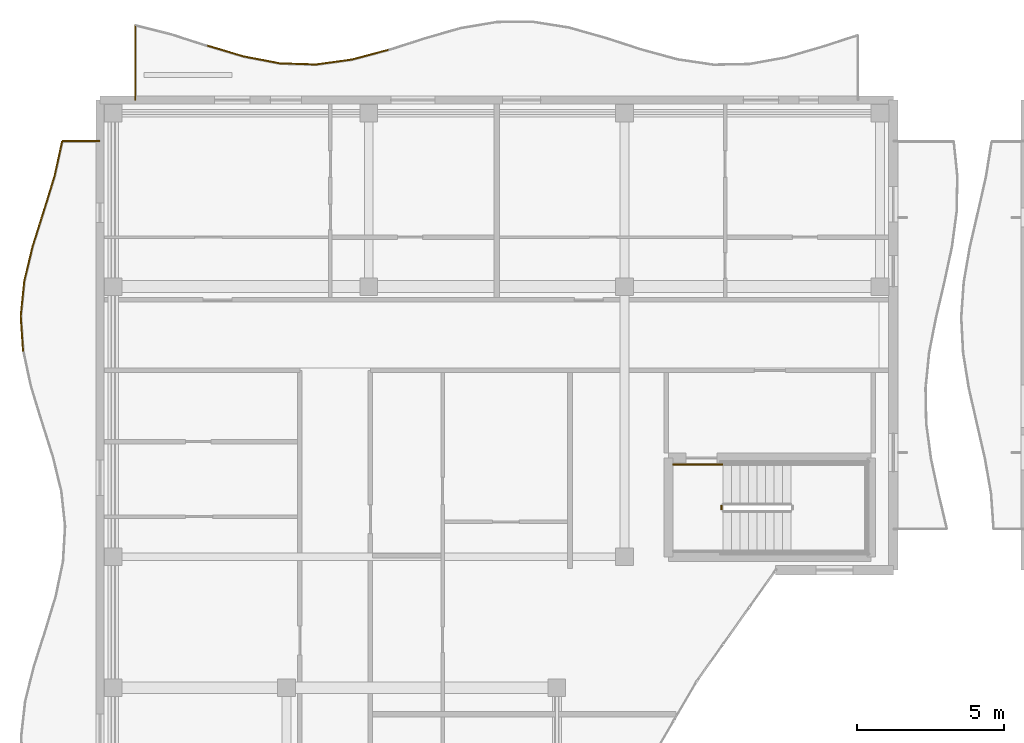
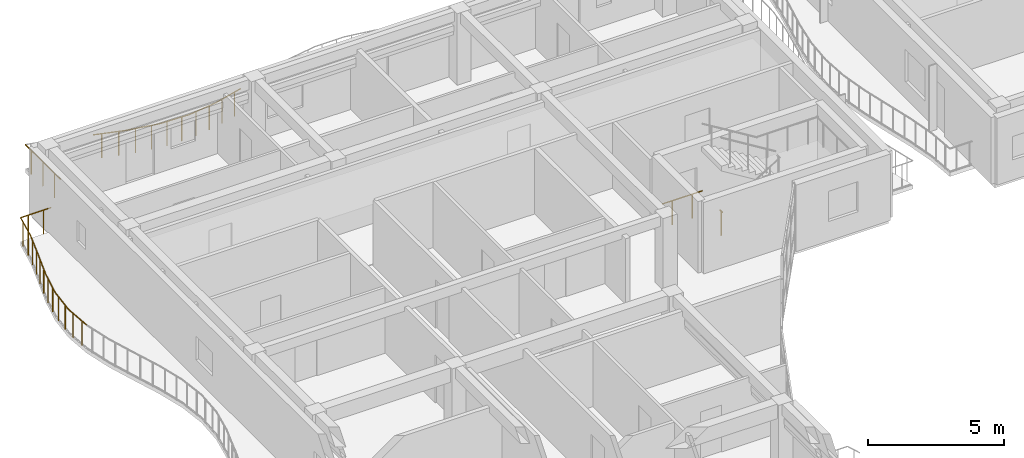
# One storey, part 56 of 76: 15 railings.
"""IFC4 building model written with IfcOpenShell, lengths in metres."""

import ifcopenshell
import ifcopenshell.guid

model = None  # the IFC model being written
_history = None  # IfcOwnerHistory: only IFC2X3 demands one
_inside = {}  # id of a spatial element -> (the spatial element, [elements in it])
_under = {}  # id of a project, library or spatial element -> (it, [spatial elements below it])
_declared = {}  # id of a project -> (the project, [libraries it declares])
_typed = {}  # id of a type object -> (the type object, [elements of that type])
_made_of = {}  # id of a material, layer set ... -> (it, [elements and type objects made of it])


def new_model(schema):
    """Start an empty IFC model of exactly this schema.

    Asked for "IFC4X3", IfcOpenShell would pick the latest addendum, in which some entities
    have other attributes; the version numbers below select the first issue.
    IFC2X3 requires an IfcOwnerHistory on every rooted entity: one is made here for all.
    """
    global model, _history
    if schema == "IFC4X3":
        model = ifcopenshell.file(schema_version=(4, 3, 0, 0))
    else:
        model = ifcopenshell.file(schema=schema)
    _inside.clear()
    _under.clear()
    _declared.clear()
    _typed.clear()
    _made_of.clear()
    _history = None
    if model.schema == "IFC2X3":
        org = make("IfcOrganization", Name="unknown")
        user = make(
            "IfcPersonAndOrganization",
            ThePerson=make("IfcPerson", FamilyName="unknown"),
            TheOrganization=org,
        )
        app = make(
            "IfcApplication",
            ApplicationDeveloper=org,
            Version="unknown",
            ApplicationFullName="unknown",
            ApplicationIdentifier="unknown",
        )
        _history = make(
            "IfcOwnerHistory",
            OwningUser=user,
            OwningApplication=app,
            ChangeAction="ADDED",
            CreationDate=0,
        )
    return model


def make(cls, **values):
    """One entity of the class cls with the attributes given. An attribute that is None is left unset."""
    return model.create_entity(
        cls, **{name: value for name, value in values.items() if value is not None}
    )


def rooted(cls, **values):
    """An entity with a GlobalId (a new one), such as an element, a storey or a relation."""
    return make(cls, GlobalId=ifcopenshell.guid.new(), OwnerHistory=_history, **values)


def si_unit(unit_type, name, prefix=None):
    """IfcSIUnit, for example si_unit("LENGTHUNIT", "METRE", prefix="MILLI")."""
    return make("IfcSIUnit", UnitType=unit_type, Prefix=prefix, Name=name)


def assignment(units):
    """IfcUnitAssignment: the units of a project."""
    return None if units is None else make("IfcUnitAssignment", Units=units)


def point(xyz):
    """IfcCartesianPoint."""
    return None if xyz is None else make("IfcCartesianPoint", Coordinates=xyz)


def direction(xyz):
    """IfcDirection."""
    return None if xyz is None else make("IfcDirection", DirectionRatios=xyz)


def frame(location, z_axis=None, x_axis=None):
    """IfcAxis2Placement3D, a coordinate frame: its origin and axes. An axis left out is left unset."""
    return make(
        "IfcAxis2Placement3D",
        Location=point(location),
        Axis=direction(z_axis),
        RefDirection=direction(x_axis),
    )


def frame_2d(location, x_axis=None):
    """IfcAxis2Placement2D, a coordinate frame in the plane: its origin and x axis."""
    return make(
        "IfcAxis2Placement2D", Location=point(location), RefDirection=direction(x_axis)
    )


def origin():
    """The frame at (0, 0, 0) with its axes left unset."""
    return frame((0.0, 0.0, 0.0))


def origin_2d():
    """The frame at (0, 0) in the plane with its x axis left unset."""
    return frame_2d((0.0, 0.0))


def place(relative_to, where):
    """IfcLocalPlacement: puts the frame where relative to a parent placement (None: the world)."""
    return make(
        "IfcLocalPlacement", PlacementRelTo=relative_to, RelativePlacement=where
    )


def context(
    kind, dimensions, precision=None, world=None, true_north=None, identifier=None
):
    """IfcGeometricRepresentationContext, for example the 3D "Model" context."""
    return make(
        "IfcGeometricRepresentationContext",
        ContextIdentifier=identifier,
        ContextType=kind,
        CoordinateSpaceDimension=dimensions,
        Precision=precision,
        WorldCoordinateSystem=world,
        TrueNorth=true_north,
    )


def subcontext(parent, identifier, kind, view, scale=None):
    """IfcGeometricRepresentationSubContext, for example "Body" below "Model"."""
    return make(
        "IfcGeometricRepresentationSubContext",
        ContextIdentifier=identifier,
        ContextType=kind,
        ParentContext=parent,
        TargetScale=scale,
        TargetView=view,
    )


def project(units=None, contexts=None):
    """IfcProject with its units and contexts."""
    return rooted(
        "IfcProject",
        Name="project",
        RepresentationContexts=contexts,
        UnitsInContext=assignment(units),
    )


def spatial(cls, under=None, at=None, **own):
    """A site, building, storey or space (cls), placed at a placement, below another one or the project."""
    s = rooted(cls, ObjectPlacement=at, **own)
    if under is not None:
        _under.setdefault(under.id(), (under, []))[1].append(s)
    return s


def profile(cls, at=None, kind="AREA", **sizes):
    """A parametric profile (cls). Its sizes go by their IFC names, for example OverallWidth=200.0."""
    return make(cls, ProfileType=kind, Position=at, **sizes)


def circle(**sizes):
    """IfcCircleProfileDef."""
    return profile("IfcCircleProfileDef", **sizes)


def extrude(swept, where, along, depth):
    """IfcExtrudedAreaSolid: the profile swept, set in the frame where, extruded along a direction by depth."""
    return make(
        "IfcExtrudedAreaSolid",
        SweptArea=swept,
        Position=where,
        ExtrudedDirection=direction(along),
        Depth=depth,
    )


def shape(context_of_items, identifier, shape_type, items):
    """IfcShapeRepresentation: the items that make up one representation, for example the "Body"."""
    return make(
        "IfcShapeRepresentation",
        ContextOfItems=context_of_items,
        RepresentationIdentifier=identifier,
        RepresentationType=shape_type,
        Items=items,
    )


def material(Name=None, Category=None):
    """IfcMaterial."""
    return make("IfcMaterial", Name=Name, Category=Category)


def made_of(thing, what):
    """Note that an element or type object is made of a material, layer set ...; save() writes the relation."""
    if what is not None:
        _made_of.setdefault(what.id(), (what, []))[1].append(thing)
    return thing


def type_object(cls, material=None, **own):
    """A type object (cls), such as IfcWallType, which elements share."""
    return made_of(rooted(cls, **own), material)


def element(
    cls,
    number,
    at=None,
    inside=None,
    cuts=None,
    type_object=None,
    material=None,
    context=None,
    identifier="Body",
    shape_type=None,
    held_by="IfcProductDefinitionShape",
    body=None,
    shapes=None,
    **own,
):
    """One element of the class cls, such as IfcWall. Its Tag is "e" and its number.

    at: its placement. inside: the storey or other place that contains it. cuts: it is an
    opening in that element (IfcRelVoidsElement). A single representation is given by context,
    identifier, shape_type and body (its items); several are given by shapes. held_by: the class
    of the entity that holds the representations. save() writes the other relations.
    """
    e = rooted(cls, Tag="e%d" % number, ObjectPlacement=at, **own)
    if body is not None:
        shapes = [shape(context, identifier, shape_type, body)]
    if shapes is not None:
        e.Representation = make(held_by, Representations=shapes)
    if inside is not None:
        _inside.setdefault(inside.id(), (inside, []))[1].append(e)
    if cuts is not None:
        rooted(
            "IfcRelVoidsElement", RelatingBuildingElement=cuts, RelatedOpeningElement=e
        )
    if type_object is not None:
        _typed.setdefault(type_object.id(), (type_object, []))[1].append(e)
    return made_of(e, material)


def aggregate(whole, parts):
    """IfcRelAggregates: a whole, such as a stair, and the parts it consists of."""
    return rooted("IfcRelAggregates", RelatingObject=whole, RelatedObjects=parts)


def save(model, path):
    """Write the relations noted so far, then the file.

    IfcRelAggregates (storeys below a building ...), IfcRelContainedInSpatialStructure (elements
    in a storey), IfcRelDefinesByType, IfcRelAssociatesMaterial and IfcRelDeclares: one each for
    every whole, place, type object, material and project.
    """
    for whole, parts in _under.values():
        aggregate(whole, parts)
    for where, things in _inside.values():
        rooted(
            "IfcRelContainedInSpatialStructure",
            RelatedElements=things,
            RelatingStructure=where,
        )
    for kind, things in _typed.values():
        rooted("IfcRelDefinesByType", RelatedObjects=things, RelatingType=kind)
    for what, things in _made_of.values():
        rooted("IfcRelAssociatesMaterial", RelatedObjects=things, RelatingMaterial=what)
    for by, libraries in _declared.values():
        rooted("IfcRelDeclares", RelatingContext=by, RelatedDefinitions=libraries)
    model.write(path)


model = new_model("IFC4")

# Units and contexts
model_context = context("Model", 3, precision=1e-05, world=origin(), true_north=direction((0.0, 1.0)))
body_context = subcontext(model_context, "Body", "Model", "MODEL_VIEW")
ifc_project = project(units=[si_unit("LENGTHUNIT", "METRE"), si_unit("AREAUNIT", "SQUARE_METRE"), si_unit("VOLUMEUNIT", "CUBIC_METRE"), si_unit("PLANEANGLEUNIT", "RADIAN"), si_unit("MASSUNIT", "GRAM", prefix="KILO")], contexts=[model_context])

# Site, building, storey
site_placement = place(None, origin())
site = spatial("IfcSite", under=ifc_project, at=site_placement, CompositionType="ELEMENT")
building_placement = place(site_placement, origin())
building = spatial("IfcBuilding", under=site, at=building_placement, Name="Keldmere Railside Commons", CompositionType="ELEMENT")
storey_placement = place(building_placement, frame((0.0, 0.0, 13.760009765625)))
storey = spatial("IfcBuildingStorey", under=building, at=storey_placement, Name="L04", CompositionType="ELEMENT", Elevation=13.760009765625)

# Railings
ifc_material = material(Name="Steel F-24 (S235)", Category="steel")
railing_type_1 = type_object("IfcRailingType", Name="Balcony & Terrace Steel Balustrade 1100", PredefinedType="BALUSTRADE", material=ifc_material)
railing_1_placement = place(storey_placement, frame((9.199951171875, 116.0, 0.0)))
element("IfcRailing", 1, at=railing_1_placement, inside=storey, type_object=railing_type_1, Name="GR-1 GRD-L04-0379", PredefinedType="BALUSTRADE", context=body_context, shape_type="SweptSolid", body=[
    extrude(circle(Radius=0.02392578125, at=origin_2d()), frame((0.0, 0.0, 1.076171875), z_axis=(0.0, 1.0, 0.0), x_axis=(-1.0, 0.0, 0.0)), (0.0, 0.0, 1.0), 2.556396484375),
    extrude(circle(Radius=0.02099609375, at=origin_2d()), frame((0.0, 0.426025390625, 0.0)), (0.0, 0.0, 1.0), 1.048095703125),
    extrude(circle(Radius=0.02099609375, at=origin_2d()), frame((0.0, 1.2783203125, 0.0)), (0.0, 0.0, 1.0), 1.048095703125),
    extrude(circle(Radius=0.02099609375, at=origin_2d()), frame((0.0, 2.13037109375, 0.0)), (0.0, 0.0, 1.0), 1.048095703125),
])
railing_2_placement = place(storey_placement, frame((11.659912109375, 117.851318359375, 0.0)))
element("IfcRailing", 2, at=railing_2_placement, inside=storey, type_object=railing_type_1, Name="GR-1 GRD-L04-0382", PredefinedType="BALUSTRADE", context=body_context, shape_type="SweptSolid", body=[
    extrude(circle(Radius=0.02392578125, at=origin_2d()), frame((0.0, 0.0, 1.076171875), z_axis=(0.958421113544, -0.28535761618, 0.0), x_axis=(0.28535761618, 0.958421113544, 0.0)), (0.0, 0.0, 1.0), 1.283447265625),
    extrude(circle(Radius=0.02099609375, at=origin_2d()), frame((0.3076171875, -0.091552734375, 0.0)), (0.0, 0.0, 1.0), 1.048095703125),
    extrude(circle(Radius=0.02099609375, at=origin_2d()), frame((0.92236328125, -0.274658203125, 0.0)), (0.0, 0.0, 1.0), 1.048095703125),
])
railing_3_placement = place(storey_placement, frame((12.889892578125, 117.485107421875, 0.0)))
element("IfcRailing", 3, at=railing_3_placement, inside=storey, type_object=railing_type_1, Name="GR-1 GRD-L04-0383", PredefinedType="BALUSTRADE", context=body_context, shape_type="SweptSolid", body=[
    extrude(circle(Radius=0.02392578125, at=origin_2d()), frame((0.0, 0.0, 1.076171875), z_axis=(0.982152127672, -0.188088272118, 0.0), x_axis=(0.188088272118, 0.982152127672, 0.0)), (0.0, 0.0, 1.0), 1.252685546875),
    extrude(circle(Radius=0.02099609375, at=origin_2d()), frame((0.3076171875, -0.058837890625, 0.0)), (0.0, 0.0, 1.0), 1.048095703125),
    extrude(circle(Radius=0.02099609375, at=origin_2d()), frame((0.922607421875, -0.1767578125, 0.0)), (0.0, 0.0, 1.0), 1.048095703125),
])
railing_4_placement = place(storey_placement, frame((14.1201171875, 117.24951171875, 0.0)))
element("IfcRailing", 4, at=railing_4_placement, inside=storey, type_object=railing_type_1, Name="GR-1 GRD-L04-0384", PredefinedType="BALUSTRADE", context=body_context, shape_type="SweptSolid", body=[
    extrude(circle(Radius=0.02392578125, at=origin_2d()), frame((0.0, 0.0, 1.076171875), z_axis=(0.999508585878, -0.031346239891, 0.0), x_axis=(0.031346239891, 0.999508585878, 0.0)), (0.0, 0.0, 1.0), 1.23046875),
    extrude(circle(Radius=0.02099609375, at=origin_2d()), frame((0.3076171875, -0.009765625, 0.0)), (0.0, 0.0, 1.0), 1.048095703125),
    extrude(circle(Radius=0.02099609375, at=origin_2d()), frame((0.92236328125, -0.02880859375, 0.0)), (0.0, 0.0, 1.0), 1.048095703125),
])
railing_5_placement = place(storey_placement, frame((15.35009765625, 117.2109375, 0.0)))
element("IfcRailing", 5, at=railing_5_placement, inside=storey, type_object=railing_type_1, Name="GR-1 GRD-L04-0385", PredefinedType="BALUSTRADE", context=body_context, shape_type="SweptSolid", body=[
    extrude(circle(Radius=0.02392578125, at=origin_2d()), frame((0.0, 0.0, 1.076171875), z_axis=(0.990671540947, 0.136271412838, 0.0), x_axis=(-0.136271412838, 0.990671540947, 0.0)), (0.0, 0.0, 1.0), 1.241455078125),
    extrude(circle(Radius=0.02099609375, at=origin_2d()), frame((0.3076171875, 0.042236328125, 0.0)), (0.0, 0.0, 1.0), 1.048095703125),
    extrude(circle(Radius=0.02099609375, at=origin_2d()), frame((0.92236328125, 0.126953125, 0.0)), (0.0, 0.0, 1.0), 1.048095703125),
])
railing_6_placement = place(storey_placement, frame((16.580078125, 117.380126953125, 0.0)))
element("IfcRailing", 6, at=railing_6_placement, inside=storey, type_object=railing_type_1, Name="GR-1 GRD-L04-0386", PredefinedType="BALUSTRADE", context=body_context, shape_type="SweptSolid", body=[
    extrude(circle(Radius=0.02392578125, at=origin_2d()), frame((0.0, 0.0, 1.076171875), z_axis=(0.965970296482, 0.258653023016, 0.0), x_axis=(-0.258653023016, 0.965970296482, 0.0)), (0.0, 0.0, 1.0), 1.273193359375),
    extrude(circle(Radius=0.02099609375, at=origin_2d()), frame((0.3076171875, 0.082275390625, 0.0)), (0.0, 0.0, 1.0), 1.048095703125),
    extrude(circle(Radius=0.02099609375, at=origin_2d()), frame((0.92236328125, 0.2470703125, 0.0)), (0.0, 0.0, 1.0), 1.048095703125),
])
railing_7_placement = place(storey_placement, frame((5.379638671875, 107.449951171875, 0.0)))
element("IfcRailing", 7, at=railing_7_placement, inside=storey, type_object=railing_type_1, Name="GR-1 GRD-L04-0470", PredefinedType="BALUSTRADE", context=body_context, shape_type="SweptSolid", body=[
    extrude(circle(Radius=0.02392578125, at=origin_2d()), frame((0.0, 0.0, 1.076171875), z_axis=(-0.065827002321, 0.997831050712, 0.0), x_axis=(-0.997831050712, -0.065827002321, 0.0)), (0.0, 0.0, 1.0), 1.1943359375),
    extrude(circle(Radius=0.02099609375, at=origin_2d()), frame((-0.01953125, 0.2978515625, 0.0)), (0.0, 0.0, 1.0), 1.048095703125),
    extrude(circle(Radius=0.02099609375, at=origin_2d()), frame((-0.05908203125, 0.893798828125, 0.0)), (0.0, 0.0, 1.0), 1.048095703125),
])
railing_8_placement = place(storey_placement, frame((5.301025390625, 108.6416015625, 0.0)))
element("IfcRailing", 8, at=railing_8_placement, inside=storey, type_object=railing_type_1, Name="GR-1 GRD-L04-0471", PredefinedType="BALUSTRADE", context=body_context, shape_type="SweptSolid", body=[
    extrude(circle(Radius=0.02392578125, at=origin_2d()), frame((0.0, 0.0, 1.076171875), z_axis=(0.099685370836, 0.995019008281, 0.0), x_axis=(-0.995019008281, 0.099685370836, 0.0)), (0.0, 0.0, 1.0), 1.197509765625),
    extrude(circle(Radius=0.02099609375, at=origin_2d()), frame((0.02978515625, 0.2978515625, 0.0)), (0.0, 0.0, 1.0), 1.048095703125),
    extrude(circle(Radius=0.02099609375, at=origin_2d()), frame((0.089599609375, 0.893798828125, 0.0)), (0.0, 0.0, 1.0), 1.048095703125),
])
railing_9_placement = place(storey_placement, frame((5.42041015625, 109.833251953125, 0.0)))
element("IfcRailing", 9, at=railing_9_placement, inside=storey, type_object=railing_type_1, Name="GR-1 GRD-L04-0472", PredefinedType="BALUSTRADE", context=body_context, shape_type="SweptSolid", body=[
    extrude(circle(Radius=0.02392578125, at=origin_2d()), frame((0.0, 0.0, 1.076171875), z_axis=(0.233290067649, 0.972407190603, 0.0), x_axis=(-0.972407190603, 0.233290067649, 0.0)), (0.0, 0.0, 1.0), 1.2255859375),
    extrude(circle(Radius=0.02099609375, at=origin_2d()), frame((0.071533203125, 0.2978515625, 0.0)), (0.0, 0.0, 1.0), 1.048095703125),
    extrude(circle(Radius=0.02099609375, at=origin_2d()), frame((0.21435546875, 0.893798828125, 0.0)), (0.0, 0.0, 1.0), 1.048095703125),
])
railing_10_placement = place(storey_placement, frame((5.706298828125, 111.02490234375, 0.0)))
element("IfcRailing", 10, at=railing_10_placement, inside=storey, type_object=railing_type_1, Name="GR-1 GRD-L04-0473", PredefinedType="BALUSTRADE", context=body_context, shape_type="SweptSolid", body=[
    extrude(circle(Radius=0.02392578125, at=origin_2d()), frame((0.0, 0.0, 1.076171875), z_axis=(0.301365043473, 0.953508841371, 0.0), x_axis=(-0.953508841371, 0.301365043473, 0.0)), (0.0, 0.0, 1.0), 1.25),
    extrude(circle(Radius=0.02099609375, at=origin_2d()), frame((0.09423828125, 0.2978515625, 0.0)), (0.0, 0.0, 1.0), 1.048095703125),
    extrude(circle(Radius=0.02099609375, at=origin_2d()), frame((0.282470703125, 0.89404296875, 0.0)), (0.0, 0.0, 1.0), 1.048095703125),
])
railing_11_placement = place(storey_placement, frame((6.0830078125, 112.216796875, 0.0)))
element("IfcRailing", 11, at=railing_11_placement, inside=storey, type_object=railing_type_1, Name="GR-1 GRD-L04-0474", PredefinedType="BALUSTRADE", context=body_context, shape_type="SweptSolid", body=[
    extrude(circle(Radius=0.02392578125, at=origin_2d()), frame((0.0, 0.0, 1.076171875), z_axis=(0.295062551836, 0.955477938261, 0.0), x_axis=(-0.955477938261, 0.295062551836, 0.0)), (0.0, 0.0, 1.0), 1.246826171875),
    extrude(circle(Radius=0.02099609375, at=origin_2d()), frame((0.092041015625, 0.2978515625, 0.0)), (0.0, 0.0, 1.0), 1.048095703125),
    extrude(circle(Radius=0.02099609375, at=origin_2d()), frame((0.27587890625, 0.8935546875, 0.0)), (0.0, 0.0, 1.0), 1.048095703125),
])
railing_12_placement = place(storey_placement, frame((6.450927734375, 113.408203125, 0.0)))
element("IfcRailing", 12, at=railing_12_placement, inside=storey, type_object=railing_type_1, Name="GR-1 GRD-L04-0475", PredefinedType="BALUSTRADE", context=body_context, shape_type="SweptSolid", body=[
    extrude(circle(Radius=0.02392578125, at=origin_2d()), frame((0.0, 0.0, 1.076171875), z_axis=(0.21466332214, 0.976688106884, 0.0), x_axis=(-0.976688106884, 0.21466332214, 0.0)), (0.0, 0.0, 1.0), 1.220458984375),
    extrude(circle(Radius=0.02099609375, at=origin_2d()), frame((0.0654296875, 0.2978515625, 0.0)), (0.0, 0.0, 1.0), 1.048095703125),
    extrude(circle(Radius=0.02099609375, at=origin_2d()), frame((0.196533203125, 0.89404296875, 0.0)), (0.0, 0.0, 1.0), 1.048095703125),
])
railing_13_placement = place(storey_placement, frame((6.712890625, 114.60009765625, 0.0)))
element("IfcRailing", 13, at=railing_13_placement, inside=storey, type_object=railing_type_1, Name="GR-1 GRD-L04-0476", PredefinedType="BALUSTRADE", context=body_context, shape_type="SweptSolid", body=[
    extrude(circle(Radius=0.02392578125, at=origin_2d()), frame((0.0, 0.0, 1.076171875), z_axis=(1.0, 0.0, 0.0), x_axis=(0.0, 1.0, 0.0)), (0.0, 0.0, 1.0), 1.287109375),
    extrude(circle(Radius=0.02099609375, at=origin_2d()), frame((0.32177734375, 0.0, 0.0)), (0.0, 0.0, 1.0), 1.048095703125),
    extrude(circle(Radius=0.02099609375, at=origin_2d()), frame((0.96533203125, 0.0, 0.0)), (0.0, 0.0, 1.0), 1.048095703125),
])
railing_type_2 = type_object("IfcRailingType", Name="Stair Well Steel Guardrail 1100", PredefinedType="BALUSTRADE", material=ifc_material)
railing_14_placement = place(storey_placement, frame((29.14990234375, 102.050048828125, 0.0)))
element("IfcRailing", 14, at=railing_14_placement, inside=storey, type_object=railing_type_2, Name="L04 ST-D2 stair guard 7", PredefinedType="BALUSTRADE", context=body_context, shape_type="SweptSolid", body=[
    extrude(circle(Radius=0.02392578125, at=origin_2d()), frame((0.0, 0.0, 1.076171875), z_axis=(0.0, 1.0, 0.0), x_axis=(-1.0, 0.0, 0.0)), (0.0, 0.0, 1.0), 0.14990234375),
    extrude(circle(Radius=0.02099609375, at=origin_2d()), frame((0.0, 0.074951171875, 0.0)), (0.0, 0.0, 1.0), 1.048095703125),
])
railing_15_placement = place(storey_placement, frame((27.5, 103.60009765625, 0.0)))
element("IfcRailing", 15, at=railing_15_placement, inside=storey, type_object=railing_type_2, Name="L04 ST-D2 stair guard 9", PredefinedType="BALUSTRADE", context=body_context, shape_type="SweptSolid", body=[
    extrude(circle(Radius=0.02392578125, at=origin_2d()), frame((0.0, 0.0, 1.076171875), z_axis=(1.0, 0.0, 0.0), x_axis=(0.0, 1.0, 0.0)), (0.0, 0.0, 1.0), 1.699951171875),
    extrude(circle(Radius=0.02099609375, at=origin_2d()), frame((0.425048828125, 0.0, 0.0)), (0.0, 0.0, 1.0), 1.048095703125),
    extrude(circle(Radius=0.02099609375, at=origin_2d()), frame((1.27490234375, 0.0, 0.0)), (0.0, 0.0, 1.0), 1.048095703125),
])

save(model, "model.ifc")
